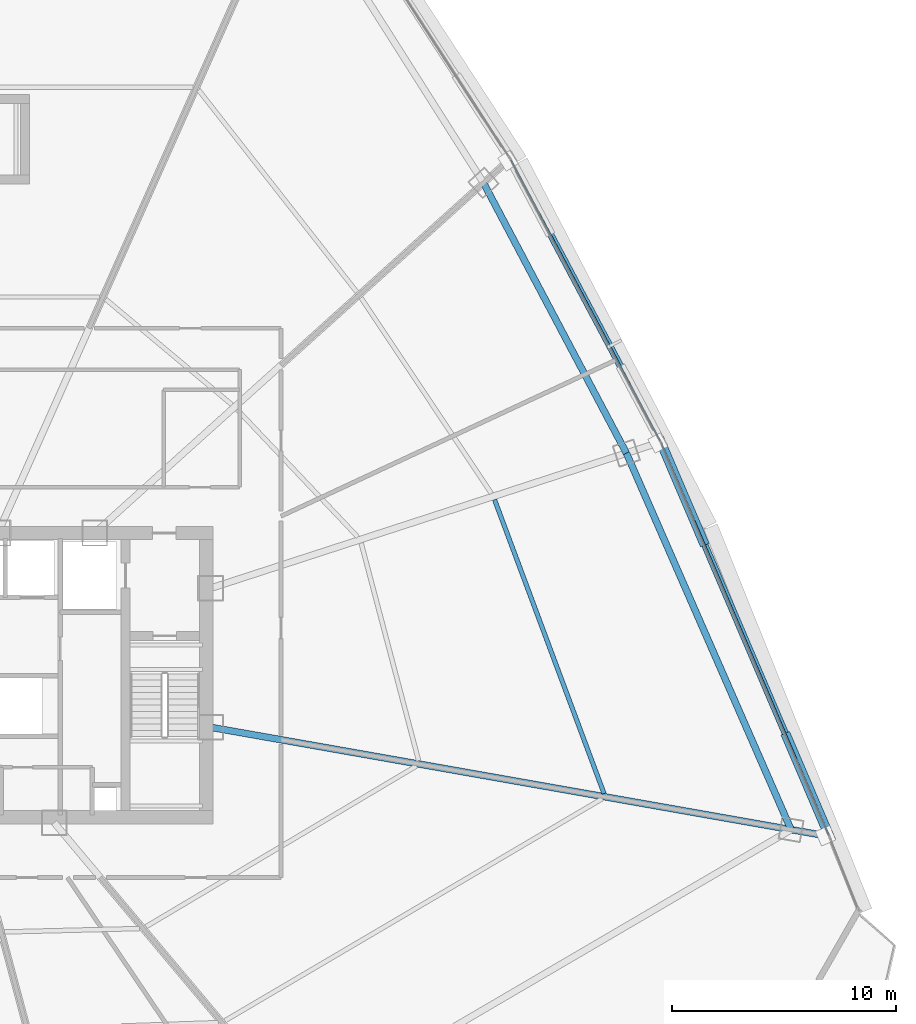
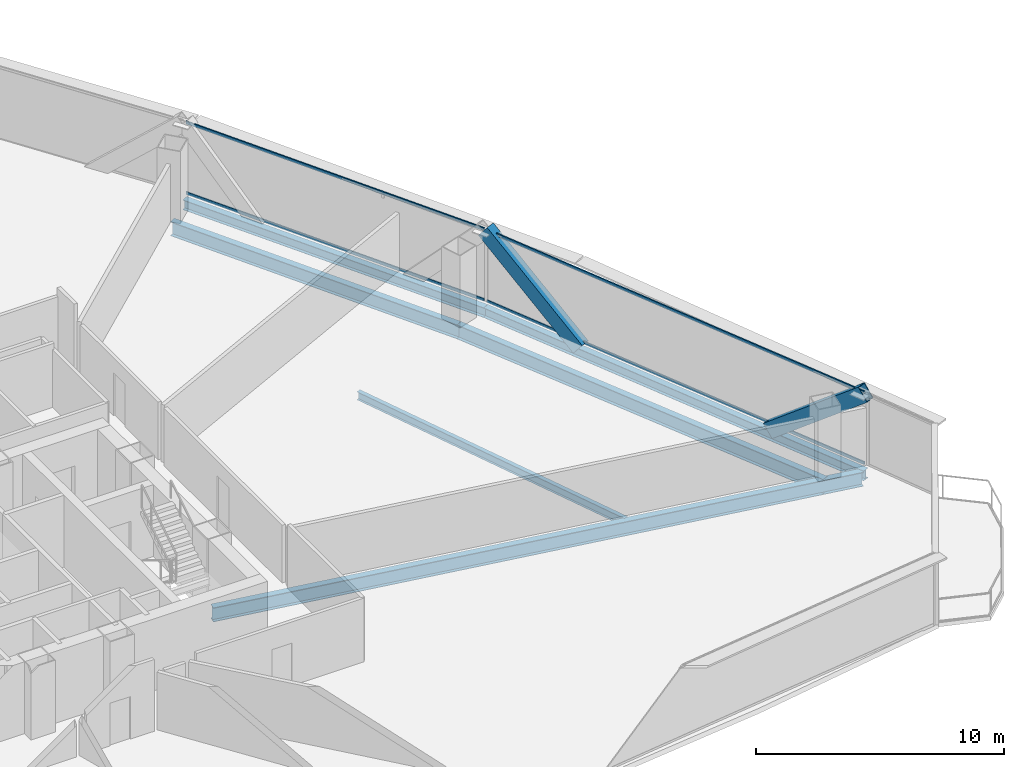
# One storey, part 23 of 36: 6 beams, 6 members, 2 elements without a shape of their own.
"""IFC4 building model written with IfcOpenShell, lengths in metres."""

from ifc_helpers import new_model, si_unit, direction, frame, origin, origin_2d, place, context, subcontext, project, spatial, hollow_rectangle, i_section, extrude, source, transform, mapped, material, layer, layer_set, material_profile, profile_set, type_object, element, aggregate, save


model = new_model("IFC4")

# Units and contexts
model_context = context("Model", 3, precision=1e-05, world=origin(), true_north=direction((0.0, 1.0)))
body_context = subcontext(model_context, "Body", "Model", "MODEL_VIEW")
ifc_project = project(units=[si_unit("LENGTHUNIT", "METRE"), si_unit("AREAUNIT", "SQUARE_METRE"), si_unit("VOLUMEUNIT", "CUBIC_METRE"), si_unit("PLANEANGLEUNIT", "RADIAN"), si_unit("MASSUNIT", "GRAM", prefix="KILO"), si_unit("THERMODYNAMICTEMPERATUREUNIT", "KELVIN"), si_unit("POWERUNIT", "WATT")], contexts=[model_context])

# Site, building, storey
site_placement = place(None, origin())
site = spatial("IfcSite", under=ifc_project, at=site_placement, CompositionType="ELEMENT")
building_placement = place(site_placement, origin())
building = spatial("IfcBuilding", under=site, at=building_placement, Name="Yunzhuo Pagoda Commons", CompositionType="ELEMENT")
storey_placement = place(building_placement, frame((0.0, 0.0, 107.780029296875)))
storey = spatial("IfcBuildingStorey", under=building, at=storey_placement, Name="L27", CompositionType="ELEMENT", Elevation=107.780029296875)

# Beams
ifc_material_1 = material(Name="Structural steel Q355B", Category="steel")
ifc_material_profile_1 = material_profile(ifc_material_1, i_section(OverallWidth=0.300048828125, OverallDepth=0.699951171875, WebThickness=0.012939453125, FlangeThickness=0.02392578125, at=origin_2d()), Name="Structural steel Q355B")
ifc_profile_set_1 = profile_set([ifc_material_profile_1], Name="Structural steel Q355B")
beam_type_1 = type_object("IfcBeamType", Name="B-RG1 Beam HN 700x300x13x24", PredefinedType="BEAM", material=ifc_profile_set_1)
shared_shape_1 = source(origin(), body_context, "Body", "SweptSolid", [
    extrude(i_section(OverallWidth=0.300048828125, OverallDepth=0.699951171875, WebThickness=0.012939453125, FlangeThickness=0.02392578125, at=origin_2d()), origin(), (0.0, 0.0, 1.0), 18.37158203125),
])
beam_1_placement = place(storey_placement, frame((86.352783203125, 26.9375, -0.610107421875), z_axis=(-0.400729599795, 0.916196369698, 0.0), x_axis=(-0.916196369698, -0.400729599795, 0.0)))
element("IfcBeam", 1, at=beam_1_placement, inside=storey, type_object=beam_type_1, Name="L27 column-ring beam 5", PredefinedType="BEAM", context=body_context, shape_type="MappedRepresentation", body=[
    mapped(shared_shape_1, transform((0.0, 0.0, 0.0), scale=1.0)),
])
shared_shape_2 = source(origin(), body_context, "Body", "SweptSolid", [
    extrude(i_section(OverallWidth=0.300048828125, OverallDepth=0.699951171875, WebThickness=0.012939453125, FlangeThickness=0.02392578125, at=origin_2d()), origin(), (0.0, 0.0, 1.0), 13.66748046875),
])
beam_2_placement = place(storey_placement, frame((78.99072265625, 43.76953125, -0.610107421875), z_axis=(-0.467383716456, 0.88405455804, 0.0), x_axis=(-0.88405455804, -0.467383716456, 0.0)))
element("IfcBeam", 2, at=beam_2_placement, inside=storey, type_object=beam_type_1, Name="L27 column-ring beam 6", PredefinedType="BEAM", context=body_context, shape_type="MappedRepresentation", body=[
    mapped(shared_shape_2, transform((0.0, 0.0, 0.0), scale=1.0)),
])
ifc_material_profile_2 = material_profile(ifc_material_1, i_section(OverallWidth=0.199951171875, OverallDepth=0.39990234375, WebThickness=0.008056640625, FlangeThickness=0.012939453125, at=origin_2d()), Name="Structural steel Q355B")
ifc_profile_set_2 = profile_set([ifc_material_profile_2], Name="Structural steel Q355B")
beam_type_2 = type_object("IfcBeamType", Name="B-JS1 Joist HN 400x200x8x13", PredefinedType="JOIST", material=ifc_profile_set_2)
shared_shape_3 = source(origin(), body_context, "Body", "SweptSolid", [
    extrude(i_section(OverallWidth=0.199951171875, OverallDepth=0.39990234375, WebThickness=0.008056640625, FlangeThickness=0.012939453125, at=origin_2d()), origin(), (0.0, 0.0, 1.0), 14.01904296875),
])
beam_3_placement = place(storey_placement, frame((77.992431640625, 28.55078125, -0.4599609375), z_axis=(-0.349168392993, 0.937059994523, 0.0), x_axis=(-0.937059994523, -0.349168392993, 0.0)))
element("IfcBeam", 3, at=beam_3_placement, inside=storey, type_object=beam_type_2, Name="L27 composite ring joist 2.5", PredefinedType="JOIST", context=body_context, shape_type="MappedRepresentation", body=[
    mapped(shared_shape_3, transform((0.0, 0.0, 0.0), scale=1.0)),
])
shared_shape_4 = source(origin(), body_context, "Body", "SweptSolid", [
    extrude(i_section(OverallWidth=0.300048828125, OverallDepth=0.699951171875, WebThickness=0.012939453125, FlangeThickness=0.02392578125, at=origin_2d()), origin(), (0.0, 0.0, 1.0), 27.9365234375),
])
beam_4_placement = place(storey_placement, frame((87.912109375, 26.66259765625, -0.610107421875), z_axis=(-0.984809677022, 0.173637265709, 0.0), x_axis=(-0.173637265709, -0.984809677022, 0.0)))
element("IfcBeam", 4, at=beam_4_placement, inside=storey, type_object=beam_type_1, Name="L27 radial floor girder F2C1", PredefinedType="BEAM", context=body_context, shape_type="MappedRepresentation", body=[
    mapped(shared_shape_4, transform((0.0, 0.0, 0.0), scale=1.0)),
])
ifc_material_profile_3 = material_profile(ifc_material_1, i_section(OverallWidth=0.300048828125, OverallDepth=0.488037109375, WebThickness=0.010986328125, FlangeThickness=0.01806640625, at=origin_2d()), Name="Structural steel Q355B")
ifc_profile_set_3 = profile_set([ifc_material_profile_3], Name="Structural steel Q355B")
beam_type_3 = type_object("IfcBeamType", Name="B-SP1 Beam HM 488x300x11x18", PredefinedType="BEAM", material=ifc_profile_set_3)
shared_shape_5 = source(origin(), body_context, "Body", "SweptSolid", [
    extrude(i_section(OverallWidth=0.300048828125, OverallDepth=0.488037109375, WebThickness=0.010986328125, FlangeThickness=0.01806640625, at=origin_2d()), origin(), (0.0, 0.0, 1.0), 19.1767578125),
])
beam_5_placement = place(storey_placement, frame((88.064697265625, 26.635498046875, -0.504150390625), z_axis=(-0.39305868206, 0.91951338895, 0.0), x_axis=(-0.91951338895, -0.39305868206, 0.0)))
element("IfcBeam", 5, at=beam_5_placement, inside=storey, type_object=beam_type_3, Name="L27 facade edge spandrel beam F2.1", PredefinedType="BEAM", context=body_context, shape_type="MappedRepresentation", body=[
    mapped(shared_shape_5, transform((0.0, 0.0, 0.0), scale=1.0)),
])
shared_shape_6 = source(origin(), body_context, "Body", "SweptSolid", [
    extrude(i_section(OverallWidth=0.300048828125, OverallDepth=0.488037109375, WebThickness=0.010986328125, FlangeThickness=0.01806640625, at=origin_2d()), origin(), (0.0, 0.0, 1.0), 14.338134765625),
])
beam_6_placement = place(storey_placement, frame((80.527099609375, 44.268798828125, -0.504150390625), z_axis=(-0.469070981611, 0.883160469117, 0.0), x_axis=(-0.883160469117, -0.469070981611, 0.0)))
element("IfcBeam", 6, at=beam_6_placement, inside=storey, type_object=beam_type_3, Name="L27 facade edge spandrel beam F2.2", PredefinedType="BEAM", context=body_context, shape_type="MappedRepresentation", body=[
    mapped(shared_shape_6, transform((0.0, 0.0, 0.0), scale=1.0)),
])

# Members
ifc_material_2 = material(Name="Structural steel Q420B", Category="steel")
ifc_material_profile_4 = material_profile(ifc_material_2, hollow_rectangle(XDim=0.419921875, YDim=0.719970703125, WallThickness=0.028076171875, at=origin_2d()), Name="Structural steel Q420B")
ifc_profile_set_4 = profile_set([ifc_material_profile_4], Name="Structural steel Q420B")
member_type_1 = type_object("IfcMemberType", Name="M-DL1 Brace BOX 720x420x28", PredefinedType="BRACE", material=ifc_profile_set_4)
shared_shape_7 = source(origin(), body_context, "Body", "SweptSolid", [
    extrude(hollow_rectangle(XDim=0.419921875, YDim=0.719970703125, WallThickness=0.028076171875, at=origin_2d()), origin(), (0.0, 0.0, 1.0), 6.1171875),
])
member_1_placement = place(storey_placement, frame((86.180419921875, 31.043701171875, -0.259765625), z_axis=(0.308024709009, -0.72061339024, 0.621157886891), x_axis=(0.919518657857, 0.393046355856, 0.0)))
element("IfcMember", 7, at=member_1_placement, inside=storey, type_object=member_type_1, Name="L27 facade diamond brace F2.1L", PredefinedType="BRACE", context=body_context, shape_type="MappedRepresentation", body=[
    mapped(shared_shape_7, transform((0.0, 0.0, 0.0), scale=1.0)),
])
shared_shape_8 = source(origin(), body_context, "Body", "SweptSolid", [
    extrude(hollow_rectangle(XDim=0.419921875, YDim=0.719970703125, WallThickness=0.028076171875, at=origin_2d()), origin(), (0.0, 0.0, 1.0), 6.117431640625),
])
member_2_placement = place(storey_placement, frame((82.41162109375, 39.8603515625, -0.259765625), z_axis=(-0.308051972278, 0.72062371595, 0.621132387166), x_axis=(-0.919508120229, -0.393071007368, 0.0)))
element("IfcMember", 8, at=member_2_placement, inside=storey, type_object=member_type_1, Name="L27 facade diamond brace F2.1R", PredefinedType="BRACE", context=body_context, shape_type="MappedRepresentation", body=[
    mapped(shared_shape_8, transform((0.0, 0.0, 0.0), scale=1.0)),
])

# Curtain wall, members
ifc_material_3 = material(Name="Anodized aluminium 6063-T6", Category="aluminium")
ifc_layer = layer(ifc_material_3, 0.1650390625)
ifc_layer_set = layer_set([ifc_layer], Name="Anodized aluminium 6063-T6")
curtain_wall_type = type_object("IfcCurtainWallType", Name="CW-LOW Low-Zone Ribbon Curtain Wall", PredefinedType="NOTDEFINED", material=ifc_layer_set)
curtain_wall_1_placement = place(storey_placement, origin())
curtain_wall_1 = element("IfcCurtainWall", 9, at=curtain_wall_1_placement, inside=storey, type_object=curtain_wall_type, Name="L27 curtain wall CW-L27-F2B2", PredefinedType="NOTDEFINED")
ifc_material_profile_5 = material_profile(ifc_material_3, hollow_rectangle(XDim=0.06005859375, YDim=0.139892578125, WallThickness=0.00341796875, at=origin_2d()), Name="Anodized aluminium 6063-T6")
ifc_profile_set_5 = profile_set([ifc_material_profile_5], Name="Anodized aluminium 6063-T6")
member_type_2 = type_object("IfcMemberType", Name="CW-LOW-T Transom RHS 140x60x3.5", PredefinedType="USERDEFINED", material=ifc_profile_set_5)
shared_shape_9 = source(origin(), body_context, "Body", "SweptSolid", [
    extrude(hollow_rectangle(XDim=0.06005859375, YDim=0.139892578125, WallThickness=0.00341796875, at=origin_2d()), origin(), (0.0, 0.0, 1.0), 19.04638671875),
])
member_3_placement = place(storey_placement, frame((88.039306640625, 26.695556640625, 0.030029296875), z_axis=(-0.393068270489, 0.919509290184, 0.0), x_axis=(-0.919509290184, -0.393068270489, 0.0)))
member_3 = element("IfcMember", 10, at=member_3_placement, type_object=member_type_2, Name="CW transom 1.1", ObjectType="TRANSOM", PredefinedType="USERDEFINED", context=body_context, shape_type="MappedRepresentation", body=[
    mapped(shared_shape_9, transform((0.0, 0.0, 0.0), scale=1.0)),
])
member_4_placement = place(storey_placement, frame((88.039306640625, 26.695556640625, 3.510009765625), z_axis=(-0.393068270489, 0.919509290184, 0.0), x_axis=(-0.919509290184, -0.393068270489, 0.0)))
member_4 = element("IfcMember", 11, at=member_4_placement, type_object=member_type_2, Name="CW transom 1.2", ObjectType="TRANSOM", PredefinedType="USERDEFINED", context=body_context, shape_type="MappedRepresentation", body=[
    mapped(shared_shape_9, transform((0.0, 0.0, 0.0), scale=1.0)),
])
aggregate(curtain_wall_1, [member_3, member_4])

curtain_wall_2_placement = place(storey_placement, origin())
curtain_wall_2 = element("IfcCurtainWall", 12, at=curtain_wall_2_placement, inside=storey, type_object=curtain_wall_type, Name="L27 curtain wall CW-L27-F2B3", PredefinedType="NOTDEFINED")
shared_shape_10 = source(origin(), body_context, "Body", "SweptSolid", [
    extrude(hollow_rectangle(XDim=0.06005859375, YDim=0.139892578125, WallThickness=0.00341796875, at=origin_2d()), origin(), (0.0, 0.0, 1.0), 14.208251953125),
])
member_5_placement = place(storey_placement, frame((80.496826171875, 44.326171875, 0.030029296875), z_axis=(-0.469092827222, 0.883148865961, 0.0), x_axis=(-0.883148865961, -0.469092827222, 0.0)))
member_5 = element("IfcMember", 13, at=member_5_placement, type_object=member_type_2, Name="CW transom 1.1", ObjectType="TRANSOM", PredefinedType="USERDEFINED", context=body_context, shape_type="MappedRepresentation", body=[
    mapped(shared_shape_10, transform((0.0, 0.0, 0.0), scale=1.0)),
])
member_6_placement = place(storey_placement, frame((80.496826171875, 44.326171875, 3.510009765625), z_axis=(-0.469092827222, 0.883148865961, 0.0), x_axis=(-0.883148865961, -0.469092827222, 0.0)))
member_6 = element("IfcMember", 14, at=member_6_placement, type_object=member_type_2, Name="CW transom 1.2", ObjectType="TRANSOM", PredefinedType="USERDEFINED", context=body_context, shape_type="MappedRepresentation", body=[
    mapped(shared_shape_10, transform((0.0, 0.0, 0.0), scale=1.0)),
])
aggregate(curtain_wall_2, [member_5, member_6])

save(model, "model.ifc")
